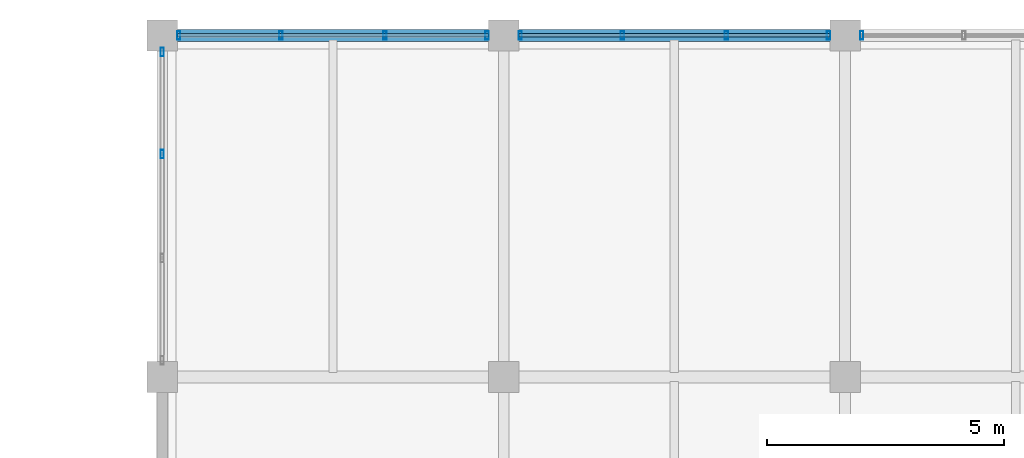
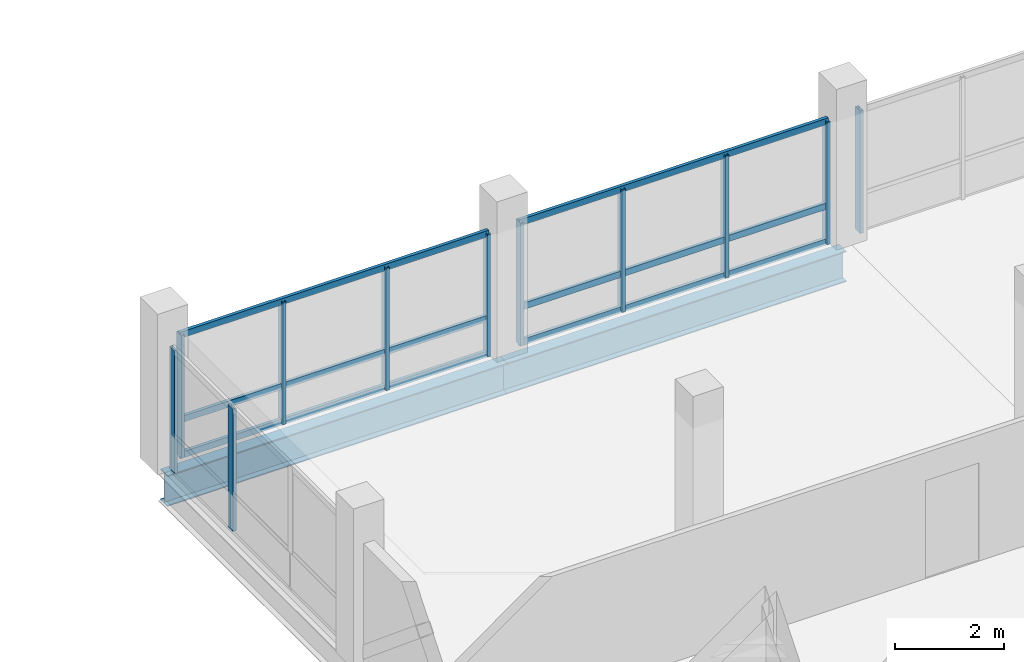
# One storey, part 39 of 96: 17 members, 2 beams, 4 elements without a shape of their own.
"""IFC4 building model written with IfcOpenShell, lengths in metres."""

from ifc_helpers import new_model, si_unit, direction, frame, origin, origin_2d, place, context, subcontext, project, spatial, hollow_rectangle, i_section, extrude, material, material_profile, profile_set, type_object, element, aggregate, save


model = new_model("IFC4")

# Units and contexts
model_context = context("Model", 3, precision=1e-05, world=origin(), true_north=direction((0.0, 1.0)))
body_context = subcontext(model_context, "Body", "Model", "MODEL_VIEW")
ifc_project = project(units=[si_unit("LENGTHUNIT", "METRE"), si_unit("AREAUNIT", "SQUARE_METRE"), si_unit("VOLUMEUNIT", "CUBIC_METRE"), si_unit("PLANEANGLEUNIT", "RADIAN"), si_unit("MASSUNIT", "GRAM", prefix="KILO")], contexts=[model_context])

# Site, building, storey
site_placement = place(None, origin())
site = spatial("IfcSite", under=ifc_project, at=site_placement, CompositionType="ELEMENT")
building_placement = place(site_placement, origin())
building = spatial("IfcBuilding", under=site, at=building_placement, Name="Yarey Park Central Fire Station", CompositionType="ELEMENT")
storey_placement = place(building_placement, frame((0.0, 0.0, 14.39990234375)))
storey = spatial("IfcBuildingStorey", under=building, at=storey_placement, Name="L04", CompositionType="ELEMENT", Elevation=14.39990234375)

# Curtain wall, members
ifc_material_1 = material(Name="Anodized Aluminium Frame", Category="aluminium")
curtain_wall_type = type_object("IfcCurtainWallType", Name="ENV_CW_HQ_L04", PredefinedType="NOTDEFINED", material=ifc_material_1)
curtain_wall_1_placement = place(storey_placement, origin())
curtain_wall_1 = element("IfcCurtainWall", 1, at=curtain_wall_1_placement, inside=storey, type_object=curtain_wall_type, Name="CW_L04_V4_N_1", PredefinedType="NOTDEFINED")
ifc_material_profile_1 = material_profile(ifc_material_1, hollow_rectangle(XDim=0.070068359375, YDim=0.179931640625, WallThickness=0.00390625, at=origin_2d()), Name="ALU 180x70x4")
ifc_profile_set_1 = profile_set([ifc_material_profile_1], Name="Anodized Aluminium Frame")
member_type_1 = type_object("IfcMemberType", Name="ENV_CW_MULLION", PredefinedType="MULLION", material=ifc_profile_set_1)
member_1_placement = place(storey_placement, frame((122.050048828125, 115.199951171875, 0.0), z_axis=(0.0, 0.0, 1.0), x_axis=(1.0, 0.0, 0.0)))
member_1 = element("IfcMember", 2, at=member_1_placement, type_object=member_type_1, Name="CW_L04_V4_N_1_MUL1", PredefinedType="MULLION", context=body_context, shape_type="SweptSolid", body=[
    extrude(hollow_rectangle(XDim=0.070068359375, YDim=0.179931640625, WallThickness=0.00390625, at=origin_2d()), origin(), (0.0, 0.0, 1.0), 2.75),
])
member_2_placement = place(storey_placement, frame((119.896728515625, 115.199951171875, 0.0), z_axis=(0.0, 0.0, 1.0), x_axis=(1.0, 0.0, 0.0)))
member_2 = element("IfcMember", 3, at=member_2_placement, type_object=member_type_1, Name="CW_L04_V4_N_1_MUL2", PredefinedType="MULLION", context=body_context, shape_type="SweptSolid", body=[
    extrude(hollow_rectangle(XDim=0.070068359375, YDim=0.179931640625, WallThickness=0.00390625, at=origin_2d()), origin(), (0.0, 0.0, 1.0), 2.75),
])
member_3_placement = place(storey_placement, frame((117.703369140625, 115.199951171875, 0.0), z_axis=(0.0, 0.0, 1.0), x_axis=(1.0, 0.0, 0.0)))
member_3 = element("IfcMember", 4, at=member_3_placement, type_object=member_type_1, Name="CW_L04_V4_N_1_MUL3", PredefinedType="MULLION", context=body_context, shape_type="SweptSolid", body=[
    extrude(hollow_rectangle(XDim=0.070068359375, YDim=0.179931640625, WallThickness=0.00390625, at=origin_2d()), origin(), (0.0, 0.0, 1.0), 2.75),
])
member_4_placement = place(storey_placement, frame((115.550048828125, 115.199951171875, 0.0), z_axis=(0.0, 0.0, 1.0), x_axis=(1.0, 0.0, 0.0)))
member_4 = element("IfcMember", 5, at=member_4_placement, type_object=member_type_1, Name="CW_L04_V4_N_1_MUL4", PredefinedType="MULLION", context=body_context, shape_type="SweptSolid", body=[
    extrude(hollow_rectangle(XDim=0.070068359375, YDim=0.179931640625, WallThickness=0.00390625, at=origin_2d()), origin(), (0.0, 0.0, 1.0), 2.75),
])

curtain_wall_2_placement = place(storey_placement, origin())
curtain_wall_2 = element("IfcCurtainWall", 6, at=curtain_wall_2_placement, inside=storey, type_object=curtain_wall_type, Name="CW_L04_V4_N_2", PredefinedType="NOTDEFINED")
member_5_placement = place(storey_placement, frame((129.25, 115.199951171875, 0.0), z_axis=(0.0, 0.0, 1.0), x_axis=(1.0, 0.0, 0.0)))
member_5 = element("IfcMember", 7, at=member_5_placement, type_object=member_type_1, Name="CW_L04_V4_N_2_MUL1", PredefinedType="MULLION", context=body_context, shape_type="SweptSolid", body=[
    extrude(hollow_rectangle(XDim=0.070068359375, YDim=0.179931640625, WallThickness=0.00390625, at=origin_2d()), origin(), (0.0, 0.0, 1.0), 2.75),
])
member_6_placement = place(storey_placement, frame((127.0966796875, 115.199951171875, 0.0), z_axis=(0.0, 0.0, 1.0), x_axis=(1.0, 0.0, 0.0)))
member_6 = element("IfcMember", 8, at=member_6_placement, type_object=member_type_1, Name="CW_L04_V4_N_2_MUL2", PredefinedType="MULLION", context=body_context, shape_type="SweptSolid", body=[
    extrude(hollow_rectangle(XDim=0.070068359375, YDim=0.179931640625, WallThickness=0.00390625, at=origin_2d()), origin(), (0.0, 0.0, 1.0), 2.75),
])
member_7_placement = place(storey_placement, frame((124.9033203125, 115.199951171875, 0.0), z_axis=(0.0, 0.0, 1.0), x_axis=(1.0, 0.0, 0.0)))
member_7 = element("IfcMember", 9, at=member_7_placement, type_object=member_type_1, Name="CW_L04_V4_N_2_MUL3", PredefinedType="MULLION", context=body_context, shape_type="SweptSolid", body=[
    extrude(hollow_rectangle(XDim=0.070068359375, YDim=0.179931640625, WallThickness=0.00390625, at=origin_2d()), origin(), (0.0, 0.0, 1.0), 2.75),
])
member_8_placement = place(storey_placement, frame((122.75, 115.199951171875, 0.0), z_axis=(0.0, 0.0, 1.0), x_axis=(1.0, 0.0, 0.0)))
member_8 = element("IfcMember", 10, at=member_8_placement, type_object=member_type_1, Name="CW_L04_V4_N_2_MUL4", PredefinedType="MULLION", context=body_context, shape_type="SweptSolid", body=[
    extrude(hollow_rectangle(XDim=0.070068359375, YDim=0.179931640625, WallThickness=0.00390625, at=origin_2d()), origin(), (0.0, 0.0, 1.0), 2.75),
])

# Curtain wall, member
curtain_wall_3_placement = place(storey_placement, origin())
curtain_wall_3 = element("IfcCurtainWall", 11, at=curtain_wall_3_placement, inside=storey, type_object=curtain_wall_type, Name="CW_L04_V4_N_3", PredefinedType="NOTDEFINED")
member_9_placement = place(storey_placement, frame((129.949951171875, 115.199951171875, 0.0), z_axis=(0.0, 0.0, 1.0), x_axis=(1.0, 0.0, 0.0)))
member_9 = element("IfcMember", 12, at=member_9_placement, type_object=member_type_1, Name="CW_L04_V4_N_3_MUL4", PredefinedType="MULLION", context=body_context, shape_type="SweptSolid", body=[
    extrude(hollow_rectangle(XDim=0.070068359375, YDim=0.179931640625, WallThickness=0.00390625, at=origin_2d()), origin(), (0.0, 0.0, 1.0), 2.75),
])
aggregate(curtain_wall_3, [member_9])

# Curtain wall, members
curtain_wall_4_placement = place(storey_placement, origin())
curtain_wall_4 = element("IfcCurtainWall", 13, at=curtain_wall_4_placement, inside=storey, type_object=curtain_wall_type, Name="CW_L04_V4_W_108", PredefinedType="NOTDEFINED")
member_10_placement = place(storey_placement, frame((115.199951171875, 114.85009765625, 0.0), z_axis=(0.0, 0.0, 1.0), x_axis=(1.0, 0.0, 0.0)))
member_10 = element("IfcMember", 14, at=member_10_placement, type_object=member_type_1, Name="CW_L04_V4_W_108_MUL1", PredefinedType="MULLION", context=body_context, shape_type="SweptSolid", body=[
    extrude(hollow_rectangle(XDim=0.070068359375, YDim=0.179931640625, WallThickness=0.00390625, at=origin_2d()), origin(), (0.0, 0.0, 1.0), 2.75),
])
member_11_placement = place(storey_placement, frame((115.199951171875, 112.69677734375, 0.0), z_axis=(0.0, 0.0, 1.0), x_axis=(1.0, 0.0, 0.0)))
member_11 = element("IfcMember", 15, at=member_11_placement, type_object=member_type_1, Name="CW_L04_V4_W_108_MUL2", PredefinedType="MULLION", context=body_context, shape_type="SweptSolid", body=[
    extrude(hollow_rectangle(XDim=0.070068359375, YDim=0.179931640625, WallThickness=0.00390625, at=origin_2d()), origin(), (0.0, 0.0, 1.0), 2.75),
])
aggregate(curtain_wall_4, [member_10, member_11])

# Member
ifc_material_profile_2 = material_profile(ifc_material_1, hollow_rectangle(XDim=0.070068359375, YDim=0.139892578125, WallThickness=0.00390625, at=origin_2d()), Name="ALU 140x70x4")
ifc_profile_set_2 = profile_set([ifc_material_profile_2], Name="Anodized Aluminium Frame")
member_type_2 = type_object("IfcMemberType", Name="ENV_CW_TRANSOM", PredefinedType="USERDEFINED", material=ifc_profile_set_2)
member_12_placement = place(storey_placement, frame((122.074951171875, 115.199951171875, 0.025146484375), z_axis=(-1.0, 0.0, 0.0), x_axis=(0.0, -1.0, 0.0)))
member_12 = element("IfcMember", 16, at=member_12_placement, type_object=member_type_2, Name="CW_L04_V4_N_1_TRN1", ObjectType="TRANSOM", PredefinedType="USERDEFINED", context=body_context, shape_type="SweptSolid", body=[
    extrude(hollow_rectangle(XDim=0.070068359375, YDim=0.139892578125, WallThickness=0.00390625, at=origin_2d()), origin(), (0.0, 0.0, 1.0), 6.550048828125),
])

member_13_placement = place(storey_placement, frame((122.074951171875, 115.199951171875, 0.8251953125), z_axis=(-1.0, 0.0, 0.0), x_axis=(0.0, -1.0, 0.0)))
member_13 = element("IfcMember", 17, at=member_13_placement, type_object=member_type_2, Name="CW_L04_V4_N_1_TRN2", ObjectType="TRANSOM", PredefinedType="USERDEFINED", context=body_context, shape_type="SweptSolid", body=[
    extrude(hollow_rectangle(XDim=0.070068359375, YDim=0.139892578125, WallThickness=0.00390625, at=origin_2d()), origin(), (0.0, 0.0, 1.0), 6.550048828125),
])

member_14_placement = place(storey_placement, frame((122.074951171875, 115.199951171875, 2.72509765625), z_axis=(-1.0, 0.0, 0.0), x_axis=(0.0, -1.0, 0.0)))
member_14 = element("IfcMember", 18, at=member_14_placement, type_object=member_type_2, Name="CW_L04_V4_N_1_TRN3", ObjectType="TRANSOM", PredefinedType="USERDEFINED", context=body_context, shape_type="SweptSolid", body=[
    extrude(hollow_rectangle(XDim=0.070068359375, YDim=0.139892578125, WallThickness=0.00390625, at=origin_2d()), origin(), (0.0, 0.0, 1.0), 6.550048828125),
])

aggregate(curtain_wall_1, [member_1, member_2, member_3, member_4, member_12, member_13, member_14])

member_15_placement = place(storey_placement, frame((129.27490234375, 115.199951171875, 0.025146484375), z_axis=(-1.0, 0.0, 0.0), x_axis=(0.0, -1.0, 0.0)))
member_15 = element("IfcMember", 19, at=member_15_placement, type_object=member_type_2, Name="CW_L04_V4_N_2_TRN1", ObjectType="TRANSOM", PredefinedType="USERDEFINED", context=body_context, shape_type="SweptSolid", body=[
    extrude(hollow_rectangle(XDim=0.070068359375, YDim=0.139892578125, WallThickness=0.00390625, at=origin_2d()), origin(), (0.0, 0.0, 1.0), 6.5498046875),
])

member_16_placement = place(storey_placement, frame((129.27490234375, 115.199951171875, 0.8251953125), z_axis=(-1.0, 0.0, 0.0), x_axis=(0.0, -1.0, 0.0)))
member_16 = element("IfcMember", 20, at=member_16_placement, type_object=member_type_2, Name="CW_L04_V4_N_2_TRN2", ObjectType="TRANSOM", PredefinedType="USERDEFINED", context=body_context, shape_type="SweptSolid", body=[
    extrude(hollow_rectangle(XDim=0.070068359375, YDim=0.139892578125, WallThickness=0.00390625, at=origin_2d()), origin(), (0.0, 0.0, 1.0), 6.5498046875),
])

member_17_placement = place(storey_placement, frame((129.27490234375, 115.199951171875, 2.72509765625), z_axis=(-1.0, 0.0, 0.0), x_axis=(0.0, -1.0, 0.0)))
member_17 = element("IfcMember", 21, at=member_17_placement, type_object=member_type_2, Name="CW_L04_V4_N_2_TRN3", ObjectType="TRANSOM", PredefinedType="USERDEFINED", context=body_context, shape_type="SweptSolid", body=[
    extrude(hollow_rectangle(XDim=0.070068359375, YDim=0.139892578125, WallThickness=0.00390625, at=origin_2d()), origin(), (0.0, 0.0, 1.0), 6.5498046875),
])

aggregate(curtain_wall_2, [member_5, member_6, member_7, member_8, member_15, member_16, member_17])

# Beams
ifc_material_2 = material(Name="Steel ASTM A992 Gr. 50", Category="steel")
ifc_material_profile_3 = material_profile(ifc_material_2, i_section(OverallWidth=0.256103515625, OverallDepth=0.693115234375, WebThickness=0.014404296875, FlangeThickness=0.023681640625, at=origin_2d()), Name="W690x170")
ifc_profile_set_3 = profile_set([ifc_material_profile_3], Name="Steel ASTM A992 Gr. 50")
beam_type = type_object("IfcBeamType", Name="STR_BM_W690", PredefinedType="BEAM", material=ifc_profile_set_3)
beam_1_placement = place(storey_placement, frame((115.199951171875, 115.199951171875, -0.596435546875), z_axis=(1.0, 0.0, 0.0), x_axis=(0.0, 1.0, 0.0)))
element("IfcBeam", 22, at=beam_1_placement, inside=storey, type_object=beam_type, Name="BMX L04 Y1152 X1152", PredefinedType="BEAM", context=body_context, shape_type="SweptSolid", body=[
    extrude(i_section(OverallWidth=0.256103515625, OverallDepth=0.693115234375, WebThickness=0.014404296875, FlangeThickness=0.023681640625, at=origin_2d()), origin(), (0.0, 0.0, 1.0), 7.199951171875),
])
beam_2_placement = place(storey_placement, frame((122.39990234375, 115.199951171875, -0.596435546875), z_axis=(1.0, 0.0, 0.0), x_axis=(0.0, 1.0, 0.0)))
element("IfcBeam", 23, at=beam_2_placement, inside=storey, type_object=beam_type, Name="BMX L04 Y1152 X1224", PredefinedType="BEAM", context=body_context, shape_type="SweptSolid", body=[
    extrude(i_section(OverallWidth=0.256103515625, OverallDepth=0.693115234375, WebThickness=0.014404296875, FlangeThickness=0.023681640625, at=origin_2d()), origin(), (0.0, 0.0, 1.0), 7.2001953125),
])

save(model, "model.ifc")
